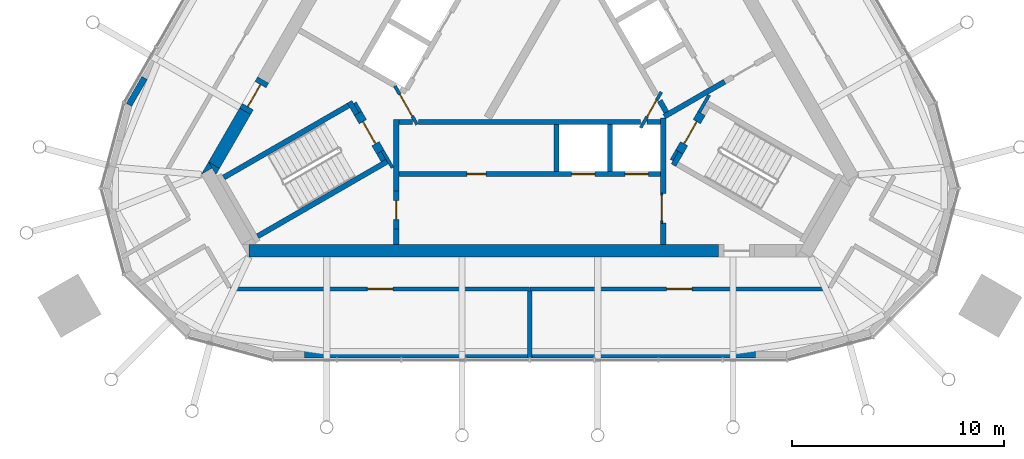
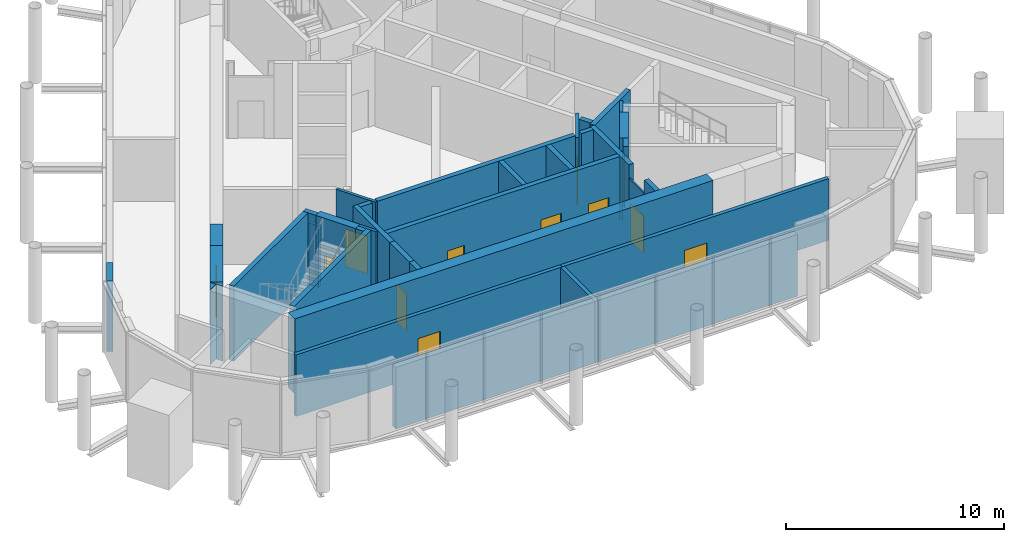
# One storey, part 7 of 11: 37 walls, 12 doors, 12 openings.
"""IFC4 building model written with IfcOpenShell, lengths in metres."""

from ifc_helpers import new_model, si_unit, direction, frame, frame_2d, origin, place, context, subcontext, project, spatial, polyline, rectangle, outline, extrude, material, layer, layer_set, type_object, element, fill, save


model = new_model("IFC4")

# Units and contexts
model_context = context("Model", 3, precision=1e-05, world=origin(), true_north=direction((0.0, 1.0)))
body_context = subcontext(model_context, "Body", "Model", "MODEL_VIEW")
ifc_project = project(units=[si_unit("LENGTHUNIT", "METRE"), si_unit("AREAUNIT", "SQUARE_METRE"), si_unit("VOLUMEUNIT", "CUBIC_METRE"), si_unit("PLANEANGLEUNIT", "RADIAN"), si_unit("MASSUNIT", "GRAM", prefix="KILO")], contexts=[model_context])

# Site, building, storey
site_placement = place(None, origin())
site = spatial("IfcSite", under=ifc_project, at=site_placement, CompositionType="ELEMENT")
building_placement = place(site_placement, origin())
building = spatial("IfcBuilding", under=site, at=building_placement, Name="Mestral Congress Tower", CompositionType="ELEMENT")
storey_placement = place(building_placement, frame((0.0, 0.0, 336.0)))
storey = spatial("IfcBuildingStorey", under=building, at=storey_placement, Name="L78", CompositionType="ELEMENT", Elevation=336.0)

# Walls
ifc_material_1 = material(Name="Fire-rated board partition")
ifc_layer_1 = layer(ifc_material_1, 0.14990234375)
ifc_layer_set_1 = layer_set([ifc_layer_1], Name="Fire-rated board partition")
wall_type_1 = type_object("IfcWallType", Name="Core partition 150", PredefinedType="PARTITIONING", material=ifc_layer_set_1)
for number, where, z_axis, x_axis, name in (
    (1, (-8.251953125, -2.958251953125, 0.0), (0.0, 0.0, 1.0), (0.500174715838, -0.865924508047, 0.0), "L78 core wall"),
    (2, (6.94482421875, -5.22216796875, 0.0), (0.0, 0.0, 1.0), (-0.499818422106, -0.866130212453, 0.0), "L78 core wall"),
):
    element("IfcWall", number, at=place(storey_placement, frame(where, z_axis=z_axis, x_axis=x_axis)), inside=storey, type_object=wall_type_1, Name=name, PredefinedType="PARTITIONING", context=body_context, shape_type="SweptSolid", body=[
        extrude(rectangle(XDim=0.513916015625, YDim=0.14990234375, at=frame_2d((0.2568359375, 0.0))), origin(), (0.0, 0.0, 1.0), 3.449951171875),
    ])

# Wall, opening, door
ifc_layer_2 = layer(ifc_material_1, 0.090087890625)
ifc_layer_set_2 = layer_set([ifc_layer_2], Name="Fire-rated board partition")
wall_type_2 = type_object("IfcWallType", Name="Core partition 150 door-wall 90", PredefinedType="PARTITIONING", material=ifc_layer_set_2)
wall_1_placement = place(storey_placement, frame((6.219970703125, -7.23681640625, 0.0), z_axis=(0.0, 0.0, 1.0), x_axis=(0.0, -1.0, 0.0)))
wall_1 = element("IfcWall", 3, at=wall_1_placement, inside=storey, type_object=wall_type_2, Name="L78 door wall", PredefinedType="PARTITIONING", context=body_context, shape_type="SweptSolid", body=[
    extrude(rectangle(XDim=1.400146484375, YDim=0.090087890625, at=frame_2d((0.7001953125, 0.0))), origin(), (0.0, 0.0, 1.0), 3.449951171875),
])
opening_1_placement = place(wall_1_placement, frame((0.10009765625, 0.0, 0.0)))
opening_1 = element("IfcOpeningElement", 4, at=opening_1_placement, cuts=wall_1, Name="Opening LB0-WL1", PredefinedType="OPENING", context=body_context, shape_type="SweptSolid", body=[
    extrude(rectangle(XDim=1.199951171875, YDim=2.10009765625, at=frame_2d((0.60009765625, 1.050048828125))), frame((0.0, 0.054931640625, 0.0), z_axis=(0.0, -1.0, 0.0), x_axis=(1.0, 0.0, 0.0)), (0.0, 0.0, 1.0), 0.110107421875),
])
ifc_material_2 = material(Name="Fire-rated steel door set", Category="steel")
door_type_1 = type_object("IfcDoorType", Name="Core door LB 1200x2100", OperationType="SINGLE_SWING_LEFT", PredefinedType="DOOR", material=ifc_material_2)
door_1_placement = place(opening_1_placement, origin())
door_1 = element("IfcDoor", 5, at=door_1_placement, inside=storey, type_object=door_type_1, Name="Door LB0-WL1", OperationType="SINGLE_SWING_LEFT", OverallHeight=2.10009765625, OverallWidth=1.199951171875, PredefinedType="DOOR", context=body_context, shape_type="SweptSolid", body=[
    extrude(rectangle(XDim=1.199951171875, YDim=2.10009765625, at=frame_2d((0.60009765625, 1.050048828125))), frame((0.0, 0.02490234375, 0.0), z_axis=(0.0, -1.0, 0.0), x_axis=(1.0, 0.0, 0.0)), (0.0, 0.0, 1.0), 0.050048828125),
])
fill(opening_1, door_1)

# Walls
ifc_material_3 = material(Name="Concrete C60/75", Category="concrete")
ifc_layer_3 = layer(ifc_material_3, 0.60009765625)
ifc_layer_set_3 = layer_set([ifc_layer_3], Name="Concrete C60/75")
wall_type_3 = type_object("IfcWallType", Name="Core wall RC 600", PredefinedType="SOLIDWALL", material=ifc_layer_set_3)
wall_2_placement = place(storey_placement, frame((8.904296875, -9.949951171875, 0.0), z_axis=(0.0, 0.0, 1.0), x_axis=(-1.0, 0.0, 0.0)))
element("IfcWall", 6, at=wall_2_placement, inside=storey, type_object=wall_type_3, Name="L78 core wall", PredefinedType="SOLIDWALL", context=body_context, shape_type="SweptSolid", body=[
    extrude(rectangle(XDim=22.160888671875, YDim=0.60009765625, at=frame_2d((11.08056640625, 0.0))), origin(), (0.0, 0.0, 1.0), 4.199951171875),
])
placement = place(storey_placement, origin())
element("IfcWall", 7, at=placement, inside=storey, type_object=wall_type_3, Name="L78 core wall", PredefinedType="SOLIDWALL", context=body_context, shape_type="SweptSolid", body=[
    extrude(outline(polyline([(-14.986572265625, -6.042724609375), (-15.493408203125, -6.33544921875), (-15.155517578125, -5.75), (-14.986572265625, -6.042724609375)])), origin(), (0.0, 0.0, 1.0), 4.199951171875),
])
wall_4_placement = place(storey_placement, frame((-13.431640625, -3.3642578125, 0.0), z_axis=(0.0, 0.0, 1.0), x_axis=(-0.499960127962, -0.866048422692, 0.0)))
element("IfcWall", 8, at=wall_4_placement, inside=storey, type_object=wall_type_3, Name="L78 core wall", PredefinedType="SOLIDWALL", context=body_context, shape_type="SweptSolid", body=[
    extrude(rectangle(XDim=2.934326171875, YDim=0.60009765625, at=frame_2d((1.46728515625, 0.0))), origin(), (0.0, 0.0, 1.0), 4.199951171875),
])
element("IfcWall", 9, at=placement, inside=storey, type_object=wall_type_3, Name="L78 core wall", PredefinedType="SOLIDWALL", context=body_context, shape_type="SweptSolid", body=[
    extrude(outline(polyline([(-14.80908203125, -6.35009765625), (-15.147216796875, -5.764404296875), (-14.639892578125, -6.057373046875), (-14.80908203125, -6.35009765625)])), origin(), (0.0, 0.0, 1.0), 4.199951171875),
])

# Wall, opening, door
wall_6_placement = place(storey_placement, frame((-13.431640625, -3.3642578125, 0.0), z_axis=(0.0, 0.0, 1.0), x_axis=(0.500000056704, 0.866025371046, 0.0)))
wall_6 = element("IfcWall", 10, at=wall_6_placement, inside=storey, type_object=wall_type_3, Name="L78 door wall", PredefinedType="SOLIDWALL", context=body_context, shape_type="SweptSolid", body=[
    extrude(rectangle(XDim=1.7001953125, YDim=0.60009765625, at=frame_2d((0.85009765625, 0.0))), origin(), (0.0, 0.0, 1.0), 4.199951171875),
])
opening_2_placement = place(wall_6_placement, frame((0.25, 0.0, 0.0)))
opening_2 = element("IfcOpeningElement", 11, at=opening_2_placement, cuts=wall_6, Name="Opening XD3", PredefinedType="OPENING", context=body_context, shape_type="SweptSolid", body=[
    extrude(rectangle(XDim=1.199951171875, YDim=2.10009765625, at=frame_2d((0.60009765625, 1.050048828125))), frame((0.0, 0.31005859375, 0.0), z_axis=(0.0, -1.0, 0.0), x_axis=(1.0, 0.0, 0.0)), (0.0, 0.0, 1.0), 0.6201171875),
])
door_type_2 = type_object("IfcDoorType", Name="Core door XD 1200x2100", OperationType="SINGLE_SWING_LEFT", PredefinedType="DOOR", material=ifc_material_2)
door_2_placement = place(opening_2_placement, origin())
door_2 = element("IfcDoor", 12, at=door_2_placement, inside=storey, type_object=door_type_2, Name="Door XD3", OperationType="SINGLE_SWING_LEFT", OverallHeight=2.10009765625, OverallWidth=1.199951171875, PredefinedType="DOOR", context=body_context, shape_type="SweptSolid", body=[
    extrude(rectangle(XDim=1.199951171875, YDim=2.10009765625, at=frame_2d((0.60009765625, 1.050048828125))), frame((0.0, 0.02490234375, 0.0), z_axis=(0.0, -1.0, 0.0), x_axis=(1.0, 0.0, 0.0)), (0.0, 0.0, 1.0), 0.050048828125),
])
fill(opening_2, door_2)

# Walls
ifc_material_4 = material(Name="Precast concrete C40/50 with limestone facing", Category="masonry")
ifc_layer_4 = layer(ifc_material_4, 0.300048828125)
ifc_layer_set_4 = layer_set([ifc_layer_4], Name="Precast concrete C40/50 with limestone facing")
wall_type_4 = type_object("IfcWallType", Name="Crown plant block wall 300", PredefinedType="SOLIDWALL", material=ifc_layer_set_4)
wall_7_placement = place(storey_placement, frame((-18.180908203125, -1.790283203125, 0.0), z_axis=(0.0, 0.0, 1.0), x_axis=(-0.500049712553, -0.865996700326, 0.0)))
element("IfcWall", 13, at=wall_7_placement, inside=storey, type_object=wall_type_4, Name="Plant block wall 10", PredefinedType="SOLIDWALL", context=body_context, shape_type="SweptSolid", body=[
    extrude(rectangle(XDim=1.463623046875, YDim=0.300048828125, at=frame_2d((0.73193359375, 0.0))), origin(), (0.0, 0.0, 1.0), 3.949951171875),
])
ifc_layer_5 = layer(ifc_material_4, 0.300048828125)
ifc_layer_set_5 = layer_set([ifc_layer_5], Name="Precast concrete C40/50 with limestone facing")
wall_type_5 = type_object("IfcWallType", Name="Crown plant block wall 300 under girder", PredefinedType="SOLIDWALL", material=ifc_layer_set_5)
wall_8_placement = place(storey_placement, frame((-10.640869140625, -14.85009765625, 0.0), z_axis=(0.0, 0.0, 1.0), x_axis=(1.0, 0.0, 0.0)))
element("IfcWall", 14, at=wall_8_placement, inside=storey, type_object=wall_type_5, Name="Plant block wall 15", PredefinedType="SOLIDWALL", context=body_context, shape_type="SweptSolid", body=[
    extrude(rectangle(XDim=21.28173828125, YDim=0.300048828125, at=frame_2d((10.640869140625, 0.0))), origin(), (0.0, 0.0, 1.0), 3.449951171875),
])
ifc_layer_6 = layer(ifc_material_3, 0.25)
ifc_layer_set_6 = layer_set([ifc_layer_6], Name="Concrete C60/75")
wall_type_6 = type_object("IfcWallType", Name="Shaft wall RC 250", PredefinedType="SOLIDWALL", material=ifc_layer_set_6)
wall_9_placement = place(storey_placement, frame((6.300048828125, -7.239990234375, 0.0), z_axis=(0.0, 0.0, 1.0), x_axis=(0.0, 1.0, 0.0)))
element("IfcWall", 15, at=wall_9_placement, inside=storey, type_object=wall_type_6, Name="L78 core wall", PredefinedType="SOLIDWALL", context=body_context, shape_type="SweptSolid", body=[
    extrude(rectangle(XDim=3.55615234375, YDim=0.25, at=frame_2d((1.778076171875, 0.0))), origin(), (0.0, 0.0, 1.0), 4.199951171875),
])
wall_10_placement = place(storey_placement, frame((6.300048828125, -9.64990234375, 0.0), z_axis=(0.0, 0.0, 1.0), x_axis=(0.0, 1.0, 0.0)))
element("IfcWall", 16, at=wall_10_placement, inside=storey, type_object=wall_type_6, Name="L78 core wall", PredefinedType="SOLIDWALL", context=body_context, shape_type="SweptSolid", body=[
    extrude(rectangle(XDim=1.0078125, YDim=0.25, at=frame_2d((0.50390625, 0.0))), origin(), (0.0, 0.0, 1.0), 4.199951171875),
])
wall_11_placement = place(storey_placement, frame((5.538330078125, -3.875, 0.0), z_axis=(0.0, 0.0, 1.0), x_axis=(1.0, 0.0, 0.0)))
element("IfcWall", 17, at=wall_11_placement, inside=storey, type_object=wall_type_6, Name="L78 core wall", PredefinedType="SOLIDWALL", context=body_context, shape_type="SweptSolid", body=[
    extrude(rectangle(XDim=0.63671875, YDim=0.25, at=frame_2d((0.318359375, 0.0))), origin(), (0.0, 0.0, 1.0), 4.199951171875),
])
wall_12_placement = place(storey_placement, frame((-5.25927734375, -3.875, 0.0), z_axis=(0.0, 0.0, 1.0), x_axis=(1.0, 0.0, 0.0)))
element("IfcWall", 18, at=wall_12_placement, inside=storey, type_object=wall_type_6, Name="L78 core wall", PredefinedType="SOLIDWALL", context=body_context, shape_type="SweptSolid", body=[
    extrude(rectangle(XDim=10.488525390625, YDim=0.25, at=frame_2d((5.244140625, 0.0))), origin(), (0.0, 0.0, 1.0), 4.199951171875),
])
for number, where, z_axis, x_axis, name in (
    (19, (1.260009765625, -4.0, 0.0), (0.0, 0.0, 1.0), (0.0, -1.0, 0.0), "L78 core wall"),
    (20, (3.780029296875, -4.0, 0.0), (0.0, 0.0, 1.0), (0.0, -1.0, 0.0), "L78 core wall"),
):
    element("IfcWall", number, at=place(storey_placement, frame(where, z_axis=z_axis, x_axis=x_axis)), inside=storey, type_object=wall_type_6, Name=name, PredefinedType="SOLIDWALL", context=body_context, shape_type="SweptSolid", body=[
        extrude(rectangle(XDim=2.199951171875, YDim=0.25, at=frame_2d((1.10009765625, 0.0))), origin(), (0.0, 0.0, 1.0), 4.199951171875),
    ])
wall_13_placement = place(storey_placement, frame((-6.300048828125, -7.12451171875, 0.0), z_axis=(0.0, 0.0, 1.0), x_axis=(0.0, 1.0, 0.0)))
element("IfcWall", 21, at=wall_13_placement, inside=storey, type_object=wall_type_6, Name="L78 core wall", PredefinedType="SOLIDWALL", context=body_context, shape_type="SweptSolid", body=[
    extrude(rectangle(XDim=3.37451171875, YDim=0.25, at=frame_2d((1.687255859375, 0.0))), origin(), (0.0, 0.0, 1.0), 4.199951171875),
])
wall_14_placement = place(storey_placement, frame((-6.175048828125, -3.875, 0.0), z_axis=(0.0, 0.0, 1.0), x_axis=(1.0, 0.0, 0.0)))
element("IfcWall", 22, at=wall_14_placement, inside=storey, type_object=wall_type_6, Name="L78 core wall", PredefinedType="SOLIDWALL", context=body_context, shape_type="SweptSolid", body=[
    extrude(rectangle(XDim=0.63671875, YDim=0.25, at=frame_2d((0.318359375, 0.0))), origin(), (0.0, 0.0, 1.0), 4.199951171875),
])
wall_15_placement = place(storey_placement, frame((-6.300048828125, -8.9248046875, 0.0), z_axis=(0.0, 0.0, 1.0), x_axis=(0.0, -1.0, 0.0)))
element("IfcWall", 23, at=wall_15_placement, inside=storey, type_object=wall_type_6, Name="L78 core wall", PredefinedType="SOLIDWALL", context=body_context, shape_type="SweptSolid", body=[
    extrude(rectangle(XDim=0.72509765625, YDim=0.25, at=frame_2d((0.362548828125, 0.0))), origin(), (0.0, 0.0, 1.0), 4.199951171875),
])
wall_16_placement = place(storey_placement, frame((9.190185546875, -1.96875, 0.0), z_axis=(0.0, 0.0, 1.0), x_axis=(-0.866057109641, -0.499945079824, 0.0)))
element("IfcWall", 24, at=wall_16_placement, inside=storey, type_object=wall_type_6, Name="L78 core wall", PredefinedType="SOLIDWALL", context=body_context, shape_type="SweptSolid", body=[
    extrude(rectangle(XDim=3.290771484375, YDim=0.25, at=frame_2d((1.6455078125, 0.0))), origin(), (0.0, 0.0, 1.0), 4.199951171875),
])
wall_17_placement = place(storey_placement, frame((6.1298828125, -2.867431640625, 0.0), z_axis=(0.0, 0.0, 1.0), x_axis=(0.500160776593, -0.865932559475, 0.0)))
element("IfcWall", 25, at=wall_17_placement, inside=storey, type_object=wall_type_6, Name="L78 core wall", PredefinedType="SOLIDWALL", context=body_context, shape_type="SweptSolid", body=[
    extrude(rectangle(XDim=0.626708984375, YDim=0.25, at=frame_2d((0.3134765625, 0.0))), origin(), (0.0, 0.0, 1.0), 4.199951171875),
])

# Wall, openings, doors
wall_18_placement = place(storey_placement, frame((-6.175048828125, -6.324951171875, 0.0), z_axis=(0.0, 0.0, 1.0), x_axis=(1.0, 0.0, 0.0)))
wall_18 = element("IfcWall", 26, at=wall_18_placement, inside=storey, type_object=wall_type_6, Name="L78 door wall", PredefinedType="SOLIDWALL", context=body_context, shape_type="SweptSolid", body=[
    extrude(rectangle(XDim=12.35009765625, YDim=0.25, at=frame_2d((6.175048828125, 0.0))), origin(), (0.0, 0.0, 1.0), 4.199951171875),
])
opening_3_placement = place(wall_18_placement, frame((3.205078125, 0.0, 0.0)))
opening_3 = element("IfcOpeningElement", 27, at=opening_3_placement, cuts=wall_18, Name="Opening SR-SOB1", PredefinedType="OPENING", context=body_context, shape_type="SweptSolid", body=[
    extrude(rectangle(XDim=0.89990234375, YDim=2.10009765625, at=frame_2d((0.449951171875, 1.050048828125))), frame((0.0, 0.135009765625, 0.0), z_axis=(0.0, -1.0, 0.0), x_axis=(1.0, 0.0, 0.0)), (0.0, 0.0, 1.0), 0.27001953125),
])
opening_4_placement = place(wall_18_placement, frame((8.14501953125, 0.0, 0.0)))
opening_4 = element("IfcOpeningElement", 28, at=opening_4_placement, cuts=wall_18, Name="Opening LD-SOB4", PredefinedType="OPENING", context=body_context, shape_type="SweptSolid", body=[
    extrude(rectangle(XDim=1.10009765625, YDim=2.10009765625, at=frame_2d((0.550048828125, 1.050048828125))), frame((0.0, 0.135009765625, 0.0), z_axis=(0.0, -1.0, 0.0), x_axis=(1.0, 0.0, 0.0)), (0.0, 0.0, 1.0), 0.27001953125),
])
opening_5_placement = place(wall_18_placement, frame((10.6650390625, 0.0, 0.0)))
opening_5 = element("IfcOpeningElement", 29, at=opening_5_placement, cuts=wall_18, Name="Opening LD-SOB5", PredefinedType="OPENING", context=body_context, shape_type="SweptSolid", body=[
    extrude(rectangle(XDim=1.10009765625, YDim=2.10009765625, at=frame_2d((0.550048828125, 1.050048828125))), frame((0.0, 0.135009765625, 0.0), z_axis=(0.0, -1.0, 0.0), x_axis=(1.0, 0.0, 0.0)), (0.0, 0.0, 1.0), 0.27001953125),
])
door_type_3 = type_object("IfcDoorType", Name="Core door LD 1100x2100", OperationType="DOUBLE_DOOR_SLIDING", PredefinedType="DOOR", material=ifc_material_2)
door_3_placement = place(opening_4_placement, origin())
door_3 = element("IfcDoor", 30, at=door_3_placement, inside=storey, type_object=door_type_3, Name="Door LD-SOB4", OperationType="DOUBLE_DOOR_SLIDING", OverallHeight=2.10009765625, OverallWidth=1.10009765625, PredefinedType="DOOR", context=body_context, shape_type="SweptSolid", body=[
    extrude(rectangle(XDim=1.10009765625, YDim=2.10009765625, at=frame_2d((0.550048828125, 1.050048828125))), frame((0.0, 0.02490234375, 0.0), z_axis=(0.0, -1.0, 0.0), x_axis=(1.0, 0.0, 0.0)), (0.0, 0.0, 1.0), 0.050048828125),
])
fill(opening_4, door_3)
door_4_placement = place(opening_5_placement, origin())
door_4 = element("IfcDoor", 31, at=door_4_placement, inside=storey, type_object=door_type_3, Name="Door LD-SOB5", OperationType="DOUBLE_DOOR_SLIDING", OverallHeight=2.10009765625, OverallWidth=1.10009765625, PredefinedType="DOOR", context=body_context, shape_type="SweptSolid", body=[
    extrude(rectangle(XDim=1.10009765625, YDim=2.10009765625, at=frame_2d((0.550048828125, 1.050048828125))), frame((0.0, 0.02490234375, 0.0), z_axis=(0.0, -1.0, 0.0), x_axis=(1.0, 0.0, 0.0)), (0.0, 0.0, 1.0), 0.050048828125),
])
fill(opening_5, door_4)
door_type_4 = type_object("IfcDoorType", Name="Core door SR 900x2100", OperationType="SINGLE_SWING_LEFT", PredefinedType="DOOR", material=ifc_material_2)
door_5_placement = place(opening_3_placement, origin())
door_5 = element("IfcDoor", 32, at=door_5_placement, inside=storey, type_object=door_type_4, Name="Door SR-SOB1", OperationType="SINGLE_SWING_LEFT", OverallHeight=2.10009765625, OverallWidth=0.89990234375, PredefinedType="DOOR", context=body_context, shape_type="SweptSolid", body=[
    extrude(rectangle(XDim=0.89990234375, YDim=2.10009765625, at=frame_2d((0.449951171875, 1.050048828125))), frame((0.0, 0.02490234375, 0.0), z_axis=(0.0, -1.0, 0.0), x_axis=(1.0, 0.0, 0.0)), (0.0, 0.0, 1.0), 0.050048828125),
])
fill(opening_3, door_5)

# Wall, opening, door
wall_19_placement = place(storey_placement, frame((-6.300048828125, -7.12451171875, 0.0), z_axis=(0.0, 0.0, 1.0), x_axis=(0.0, -1.0, 0.0)))
wall_19 = element("IfcWall", 33, at=wall_19_placement, inside=storey, type_object=wall_type_6, Name="L78 door wall", PredefinedType="SOLIDWALL", context=body_context, shape_type="SweptSolid", body=[
    extrude(rectangle(XDim=1.800048828125, YDim=0.25, at=frame_2d((0.89990234375, 0.0))), origin(), (0.0, 0.0, 1.0), 4.199951171875),
])
opening_6_placement = place(wall_19_placement, frame((0.449951171875, 0.0, 0.0)))
opening_6 = element("IfcOpeningElement", 34, at=opening_6_placement, cuts=wall_19, Name="Opening TD3", PredefinedType="OPENING", context=body_context, shape_type="SweptSolid", body=[
    extrude(rectangle(XDim=0.89990234375, YDim=2.10009765625, at=frame_2d((0.449951171875, 1.050048828125))), frame((0.0, 0.135009765625, 0.0), z_axis=(0.0, -1.0, 0.0), x_axis=(1.0, 0.0, 0.0)), (0.0, 0.0, 1.0), 0.27001953125),
])
door_6_placement = place(opening_6_placement, origin())
door_6 = element("IfcDoor", 35, at=door_6_placement, inside=storey, type_object=door_type_4, Name="Door TD3", OperationType="SINGLE_SWING_LEFT", OverallHeight=2.10009765625, OverallWidth=0.89990234375, PredefinedType="DOOR", context=body_context, shape_type="SweptSolid", body=[
    extrude(rectangle(XDim=0.89990234375, YDim=2.10009765625, at=frame_2d((0.449951171875, 1.050048828125))), frame((0.0, 0.02490234375, 0.0), z_axis=(0.0, -1.0, 0.0), x_axis=(1.0, 0.0, 0.0)), (0.0, 0.0, 1.0), 0.050048828125),
])
fill(opening_6, door_6)

# Walls
ifc_layer_7 = layer(ifc_material_3, 0.14990234375)
ifc_layer_set_7 = layer_set([ifc_layer_7], Name="Concrete C60/75")
wall_type_7 = type_object("IfcWallType", Name="Shaft wall RC 250 door-wall 150", PredefinedType="SOLIDWALL", material=ifc_layer_set_7)
wall_20_placement = place(storey_placement, frame((-6.48046875, -6.026611328125, 0.0), z_axis=(0.0, 0.0, 1.0), x_axis=(-0.499927229454, 0.866067413802, 0.0)))
element("IfcWall", 36, at=wall_20_placement, inside=storey, type_object=wall_type_7, Name="L78 core wall", PredefinedType="PARTITIONING", context=body_context, shape_type="SweptSolid", body=[
    extrude(rectangle(XDim=0.928955078125, YDim=0.14990234375, at=frame_2d((0.46435546875, 0.0))), origin(), (0.0, 0.0, 1.0), 4.199951171875),
])
wall_21_placement = place(storey_placement, frame((8.459228515625, -2.59912109375, 0.0), z_axis=(0.0, 0.0, 1.0), x_axis=(-0.500041054325, -0.866001699761, 0.0)))
element("IfcWall", 37, at=wall_21_placement, inside=storey, type_object=wall_type_7, Name="L78 core wall", PredefinedType="PARTITIONING", context=body_context, shape_type="SweptSolid", body=[
    extrude(rectangle(XDim=0.9287109375, YDim=0.14990234375, at=frame_2d((0.46435546875, 0.0))), origin(), (0.0, 0.0, 1.0), 4.199951171875),
])

# Wall, opening, door
wall_22_placement = place(storey_placement, frame((6.203369140625, -2.45556640625, 0.0), z_axis=(0.0, 0.0, 1.0), x_axis=(-0.500043961785, -0.866000020948, 0.0)))
wall_22 = element("IfcWall", 38, at=wall_22_placement, inside=storey, type_object=wall_type_7, Name="L78 door wall", PredefinedType="PARTITIONING", context=body_context, shape_type="SweptSolid", body=[
    extrude(rectangle(XDim=1.949951171875, YDim=0.14990234375, at=frame_2d((0.97509765625, 0.0))), origin(), (0.0, 0.0, 1.0), 4.199951171875),
])
opening_7_placement = place(wall_22_placement, frame((0.449951171875, 0.0, 0.0)))
opening_7 = element("IfcOpeningElement", 39, at=opening_7_placement, cuts=wall_22, Name="Opening CD1-HUB0", PredefinedType="OPENING", context=body_context, shape_type="SweptSolid", body=[
    extrude(rectangle(XDim=0.89990234375, YDim=2.10009765625, at=frame_2d((0.449951171875, 1.050048828125))), frame((0.0, 0.0849609375, 0.0), z_axis=(0.0, -1.0, 0.0), x_axis=(1.0, 0.0, 0.0)), (0.0, 0.0, 1.0), 0.169921875),
])
door_type_5 = type_object("IfcDoorType", Name="Core door CD 900x2100", OperationType="SINGLE_SWING_LEFT", PredefinedType="DOOR", material=ifc_material_2)
door_7_placement = place(opening_7_placement, origin())
door_7 = element("IfcDoor", 40, at=door_7_placement, inside=storey, type_object=door_type_5, Name="Door CD1-HUB0", OperationType="SINGLE_SWING_LEFT", OverallHeight=2.10009765625, OverallWidth=0.89990234375, PredefinedType="DOOR", context=body_context, shape_type="SweptSolid", body=[
    extrude(rectangle(XDim=0.89990234375, YDim=2.10009765625, at=frame_2d((0.449951171875, 1.050048828125))), frame((0.0, 0.02490234375, 0.0), z_axis=(0.0, -1.0, 0.0), x_axis=(1.0, 0.0, 0.0)), (0.0, 0.0, 1.0), 0.050048828125),
])
fill(opening_7, door_7)

wall_23_placement = place(storey_placement, frame((-5.3173828125, -3.98974609375, 0.0), z_axis=(0.0, 0.0, 1.0), x_axis=(-0.500027713859, 0.866009402589, 0.0)))
wall_23 = element("IfcWall", 41, at=wall_23_placement, inside=storey, type_object=wall_type_7, Name="L78 door wall", PredefinedType="PARTITIONING", context=body_context, shape_type="SweptSolid", body=[
    extrude(rectangle(XDim=2.10009765625, YDim=0.14990234375, at=frame_2d((1.050048828125, 0.0))), origin(), (0.0, 0.0, 1.0), 4.199951171875),
])
opening_8_placement = place(wall_23_placement, frame((0.449951171875, 0.0, 0.0)))
opening_8 = element("IfcOpeningElement", 42, at=opening_8_placement, cuts=wall_23, Name="Opening CD3-FF", PredefinedType="OPENING", context=body_context, shape_type="SweptSolid", body=[
    extrude(rectangle(XDim=1.199951171875, YDim=2.10009765625, at=frame_2d((0.60009765625, 1.050048828125))), frame((0.0, 0.0849609375, 0.0), z_axis=(0.0, -1.0, 0.0), x_axis=(1.0, 0.0, 0.0)), (0.0, 0.0, 1.0), 0.169921875),
])
door_type_6 = type_object("IfcDoorType", Name="Core door CD 1200x2100", OperationType="SINGLE_SWING_LEFT", PredefinedType="DOOR", material=ifc_material_2)
door_8_placement = place(opening_8_placement, origin())
door_8 = element("IfcDoor", 43, at=door_8_placement, inside=storey, type_object=door_type_6, Name="Door CD3-FF", OperationType="SINGLE_SWING_LEFT", OverallHeight=2.10009765625, OverallWidth=1.199951171875, PredefinedType="DOOR", context=body_context, shape_type="SweptSolid", body=[
    extrude(rectangle(XDim=1.199951171875, YDim=2.10009765625, at=frame_2d((0.60009765625, 1.050048828125))), frame((0.0, 0.02490234375, 0.0), z_axis=(0.0, -1.0, 0.0), x_axis=(1.0, 0.0, 0.0)), (0.0, 0.0, 1.0), 0.050048828125),
])
fill(opening_8, door_8)

ifc_material_5 = material(Name="Concrete block wall, plastered", Category="concrete")
ifc_layer_8 = layer(ifc_material_5, 0.199951171875)
ifc_layer_set_8 = layer_set([ifc_layer_8], Name="Concrete block wall, plastered")
wall_type_8 = type_object("IfcWallType", Name="Special partition 200 EI 120", PredefinedType="PARTITIONING", material=ifc_layer_set_8)
wall_24_placement = place(storey_placement, frame((-0.000244140625, -11.75, 0.0), z_axis=(0.0, 0.0, 1.0), x_axis=(1.0, 0.0, 0.0)))
wall_24 = element("IfcWall", 44, at=wall_24_placement, inside=storey, type_object=wall_type_8, Name="Partition", PredefinedType="PARTITIONING", context=body_context, shape_type="SweptSolid", body=[
    extrude(rectangle(XDim=14.116455078125, YDim=0.199951171875, at=frame_2d((7.05810546875, 0.0))), origin(), (0.0, 0.0, 1.0), 3.449951171875),
])
opening_9_placement = place(wall_24_placement, frame((6.458251953125, 0.0, 0.0)))
opening_9 = element("IfcOpeningElement", 45, at=opening_9_placement, cuts=wall_24, Name="Opening K78-003", PredefinedType="OPENING", context=body_context, shape_type="SweptSolid", body=[
    extrude(rectangle(XDim=1.199951171875, YDim=2.10009765625, at=frame_2d((0.60009765625, 1.050048828125))), frame((0.0, 0.10986328125, 0.0), z_axis=(0.0, -1.0, 0.0), x_axis=(1.0, 0.0, 0.0)), (0.0, 0.0, 1.0), 0.219970703125),
])
door_type_7 = type_object("IfcDoorType", Name="Plant room door 1200x2100", OperationType="SINGLE_SWING_LEFT", PredefinedType="DOOR", material=ifc_material_2)
door_9_placement = place(opening_9_placement, origin())
door_9 = element("IfcDoor", 46, at=door_9_placement, inside=storey, type_object=door_type_7, Name="Door K78-003", OperationType="SINGLE_SWING_RIGHT", OverallHeight=2.10009765625, OverallWidth=1.199951171875, PredefinedType="DOOR", context=body_context, shape_type="SweptSolid", body=[
    extrude(rectangle(XDim=1.199951171875, YDim=2.10009765625, at=frame_2d((0.60009765625, 1.050048828125))), frame((0.0, 0.02490234375, 0.0), z_axis=(0.0, -1.0, 0.0), x_axis=(1.0, 0.0, 0.0)), (0.0, 0.0, 1.0), 0.050048828125),
])
fill(opening_9, door_9)

wall_25_placement = place(storey_placement, frame((-14.1162109375, -11.75, 0.0), z_axis=(0.0, 0.0, 1.0), x_axis=(1.0, 0.0, 0.0)))
wall_25 = element("IfcWall", 47, at=wall_25_placement, inside=storey, type_object=wall_type_8, Name="Partition", PredefinedType="PARTITIONING", context=body_context, shape_type="SweptSolid", body=[
    extrude(rectangle(XDim=14.1064453125, YDim=0.199951171875, at=frame_2d((7.05322265625, 0.0))), origin(), (0.0, 0.0, 1.0), 3.449951171875),
])
opening_10_placement = place(wall_25_placement, frame((6.453125, 0.0, 0.0)))
opening_10 = element("IfcOpeningElement", 48, at=opening_10_placement, cuts=wall_25, Name="Opening K78-002", PredefinedType="OPENING", context=body_context, shape_type="SweptSolid", body=[
    extrude(rectangle(XDim=1.199951171875, YDim=2.10009765625, at=frame_2d((0.60009765625, 1.050048828125))), frame((0.0, 0.10986328125, 0.0), z_axis=(0.0, -1.0, 0.0), x_axis=(1.0, 0.0, 0.0)), (0.0, 0.0, 1.0), 0.219970703125),
])
door_10_placement = place(opening_10_placement, origin())
door_10 = element("IfcDoor", 49, at=door_10_placement, inside=storey, type_object=door_type_7, Name="Door K78-002", OperationType="SINGLE_SWING_RIGHT", OverallHeight=2.10009765625, OverallWidth=1.199951171875, PredefinedType="DOOR", context=body_context, shape_type="SweptSolid", body=[
    extrude(rectangle(XDim=1.199951171875, YDim=2.10009765625, at=frame_2d((0.60009765625, 1.050048828125))), frame((0.0, 0.02490234375, 0.0), z_axis=(0.0, -1.0, 0.0), x_axis=(1.0, 0.0, 0.0)), (0.0, 0.0, 1.0), 0.050048828125),
])
fill(opening_10, door_10)

# Walls
wall_26_placement = place(storey_placement, frame((0.0, -11.85009765625, 0.0), z_axis=(0.0, 0.0, 1.0), x_axis=(0.0, -1.0, 0.0)))
element("IfcWall", 50, at=wall_26_placement, inside=storey, type_object=wall_type_8, Name="Partition", PredefinedType="PARTITIONING", context=body_context, shape_type="SweptSolid", body=[
    extrude(rectangle(XDim=3.14990234375, YDim=0.199951171875, at=frame_2d((1.574951171875, 0.0))), origin(), (0.0, 0.0, 1.0), 3.449951171875),
])
ifc_layer_9 = layer(ifc_material_3, 0.25)
ifc_layer_set_9 = layer_set([ifc_layer_9], Name="Concrete C60/75")
wall_type_9 = type_object("IfcWallType", Name="Stair wall RC 250", PredefinedType="SOLIDWALL", material=ifc_layer_set_9)
wall_27_placement = place(storey_placement, frame((6.780029296875, -5.906494140625, 0.0), z_axis=(0.0, 0.0, 1.0), x_axis=(0.500223362819, 0.865896406789, 0.0)))
element("IfcWall", 51, at=wall_27_placement, inside=storey, type_object=wall_type_9, Name="L78 core wall", PredefinedType="SOLIDWALL", context=body_context, shape_type="SweptSolid", body=[
    extrude(rectangle(XDim=0.675048828125, YDim=0.25, at=frame_2d((0.33740234375, 0.0))), origin(), (0.0, 0.0, 1.0), 4.199951171875),
])
wall_28_placement = place(storey_placement, frame((-14.43994140625, -6.489501953125, 0.0), z_axis=(0.0, 0.0, 1.0), x_axis=(0.866022966069, 0.500004222222, 0.0)))
element("IfcWall", 52, at=wall_28_placement, inside=storey, type_object=wall_type_9, Name="L78 core wall", PredefinedType="SOLIDWALL", context=body_context, shape_type="SweptSolid", body=[
    extrude(rectangle(XDim=6.80029296875, YDim=0.25, at=frame_2d((3.400146484375, 0.0))), origin(), (0.0, 0.0, 1.0), 4.199951171875),
])
wall_29_placement = place(storey_placement, frame((-8.167724609375, -3.503173828125, 0.0), z_axis=(0.0, 0.0, 1.0), x_axis=(-0.499952099219, 0.866053057547, 0.0)))
element("IfcWall", 53, at=wall_29_placement, inside=storey, type_object=wall_type_9, Name="L78 core wall", PredefinedType="SOLIDWALL", context=body_context, shape_type="SweptSolid", body=[
    extrude(rectangle(XDim=0.6748046875, YDim=0.25, at=frame_2d((0.33740234375, 0.0))), origin(), (0.0, 0.0, 1.0), 4.199951171875),
])
wall_30_placement = place(storey_placement, frame((-12.83984375, -9.2607421875, 0.0), z_axis=(0.0, 0.0, 1.0), x_axis=(0.866016039709, 0.500016218704, 0.0)))
element("IfcWall", 54, at=wall_30_placement, inside=storey, type_object=wall_type_9, Name="L78 core wall", PredefinedType="SOLIDWALL", context=body_context, shape_type="SweptSolid", body=[
    extrude(rectangle(XDim=7.050048828125, YDim=0.25, at=frame_2d((3.52490234375, 0.0))), origin(), (0.0, 0.0, 1.0), 4.199951171875),
])
wall_31_placement = place(storey_placement, frame((-6.905029296875, -5.68994140625, 0.0), z_axis=(0.0, 0.0, 1.0), x_axis=(-0.500402024738, 0.865793170242, 0.0)))
element("IfcWall", 55, at=wall_31_placement, inside=storey, type_object=wall_type_9, Name="L78 core wall", PredefinedType="SOLIDWALL", context=body_context, shape_type="SweptSolid", body=[
    extrude(rectangle(XDim=0.425048828125, YDim=0.25, at=frame_2d((0.21240234375, 0.0))), origin(), (0.0, 0.0, 1.0), 4.199951171875),
])

# Wall, opening, door
ifc_layer_10 = layer(ifc_material_3, 0.39990234375)
ifc_layer_set_10 = layer_set([ifc_layer_10], Name="Concrete C60/75")
wall_type_10 = type_object("IfcWallType", Name="Stair wall RC 250 door-wall 400", PredefinedType="SOLIDWALL", material=ifc_layer_set_10)
wall_32_placement = place(storey_placement, frame((7.052734375, -5.2841796875, 0.0), z_axis=(0.0, 0.0, 1.0), x_axis=(0.500078061341, 0.865980330357, 0.0)))
wall_32 = element("IfcWall", 56, at=wall_32_placement, inside=storey, type_object=wall_type_10, Name="L78 door wall", PredefinedType="SOLIDWALL", context=body_context, shape_type="SweptSolid", body=[
    extrude(rectangle(XDim=2.099853515625, YDim=0.39990234375, at=frame_2d((1.0498046875, 0.0))), origin(), (0.0, 0.0, 1.0), 4.199951171875),
])
opening_11_placement = place(wall_32_placement, frame((0.449951171875, 0.0, 0.0)))
opening_11 = element("IfcOpeningElement", 57, at=opening_11_placement, cuts=wall_32, Name="Opening ST-D1", PredefinedType="OPENING", context=body_context, shape_type="SweptSolid", body=[
    extrude(rectangle(XDim=1.199951171875, YDim=2.10009765625, at=frame_2d((0.60009765625, 1.050048828125))), frame((0.0, 0.2099609375, 0.0), z_axis=(0.0, -1.0, 0.0), x_axis=(1.0, 0.0, 0.0)), (0.0, 0.0, 1.0), 0.419921875),
])
door_type_8 = type_object("IfcDoorType", Name="Core door ST 1200x2100", OperationType="SINGLE_SWING_LEFT", PredefinedType="DOOR", material=ifc_material_2)
door_11_placement = place(opening_11_placement, origin())
door_11 = element("IfcDoor", 58, at=door_11_placement, inside=storey, type_object=door_type_8, Name="Door ST-D1", OperationType="SINGLE_SWING_LEFT", OverallHeight=2.10009765625, OverallWidth=1.199951171875, PredefinedType="DOOR", context=body_context, shape_type="SweptSolid", body=[
    extrude(rectangle(XDim=1.199951171875, YDim=2.10009765625, at=frame_2d((0.60009765625, 1.050048828125))), frame((0.0, 0.02490234375, 0.0), z_axis=(0.0, -1.0, 0.0), x_axis=(1.0, 0.0, 0.0)), (0.0, 0.0, 1.0), 0.050048828125),
])
fill(opening_11, door_11)

wall_33_placement = place(storey_placement, frame((-8.102783203125, -3.4658203125, 0.0), z_axis=(0.0, 0.0, 1.0), x_axis=(0.500078061341, -0.865980330357, 0.0)))
wall_33 = element("IfcWall", 59, at=wall_33_placement, inside=storey, type_object=wall_type_10, Name="L78 door wall", PredefinedType="SOLIDWALL", context=body_context, shape_type="SweptSolid", body=[
    extrude(rectangle(XDim=2.099853515625, YDim=0.39990234375, at=frame_2d((1.0498046875, 0.0))), origin(), (0.0, 0.0, 1.0), 4.199951171875),
])
opening_12_placement = place(wall_33_placement, frame((0.449951171875, 0.0, 0.0)))
opening_12 = element("IfcOpeningElement", 60, at=opening_12_placement, cuts=wall_33, Name="Opening ST-D3", PredefinedType="OPENING", context=body_context, shape_type="SweptSolid", body=[
    extrude(rectangle(XDim=1.199951171875, YDim=2.10009765625, at=frame_2d((0.60009765625, 1.050048828125))), frame((0.0, 0.2099609375, 0.0), z_axis=(0.0, -1.0, 0.0), x_axis=(1.0, 0.0, 0.0)), (0.0, 0.0, 1.0), 0.419921875),
])
door_12_placement = place(opening_12_placement, origin())
door_12 = element("IfcDoor", 61, at=door_12_placement, inside=storey, type_object=door_type_8, Name="Door ST-D3", OperationType="SINGLE_SWING_LEFT", OverallHeight=2.10009765625, OverallWidth=1.199951171875, PredefinedType="DOOR", context=body_context, shape_type="SweptSolid", body=[
    extrude(rectangle(XDim=1.199951171875, YDim=2.10009765625, at=frame_2d((0.60009765625, 1.050048828125))), frame((0.0, 0.02490234375, 0.0), z_axis=(0.0, -1.0, 0.0), x_axis=(1.0, 0.0, 0.0)), (0.0, 0.0, 1.0), 0.050048828125),
])
fill(opening_12, door_12)

save(model, "model.ifc")
